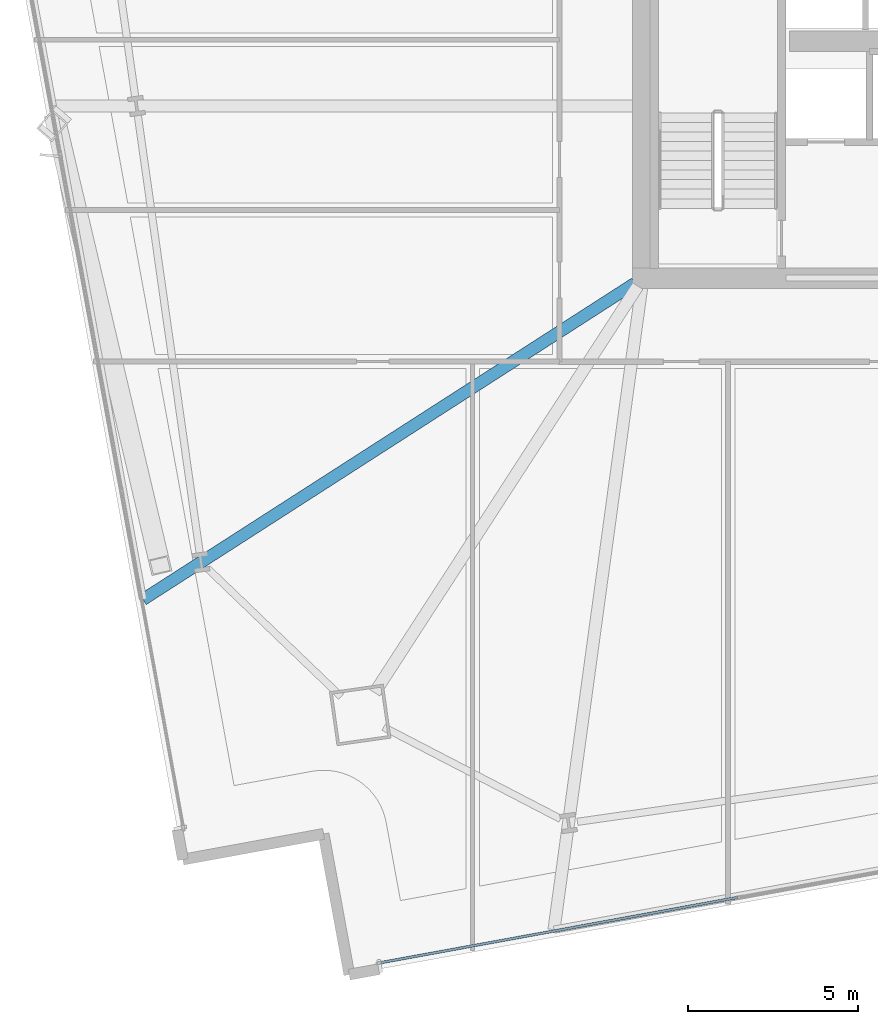
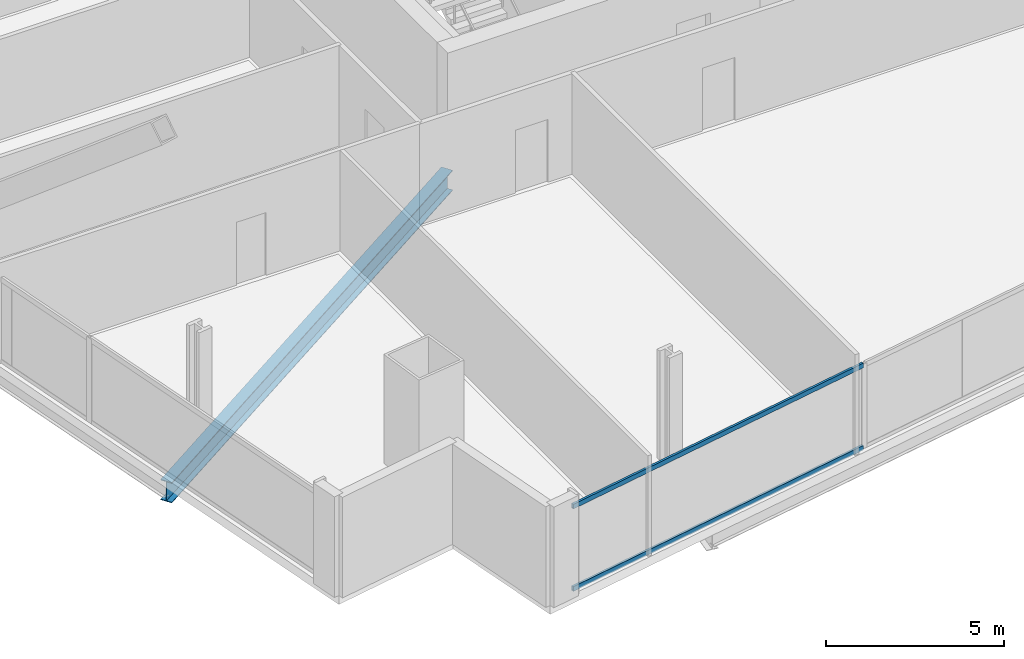
# One storey, part 4 of 34: 2 members, 1 beam, 1 element without a shape of its own.
"""IFC4 building model written with IfcOpenShell, lengths in metres."""

from ifc_helpers import new_model, si_unit, direction, frame, origin, origin_2d, place, context, subcontext, project, spatial, hollow_rectangle, i_section, extrude, material, material_profile, profile_set, type_object, element, aggregate, save


model = new_model("IFC4")

# Units and contexts
model_context = context("Model", 3, precision=1e-05, world=origin(), true_north=direction((0.0, 1.0)))
body_context = subcontext(model_context, "Body", "Model", "MODEL_VIEW")
ifc_project = project(units=[si_unit("LENGTHUNIT", "METRE"), si_unit("AREAUNIT", "SQUARE_METRE"), si_unit("VOLUMEUNIT", "CUBIC_METRE"), si_unit("PLANEANGLEUNIT", "RADIAN"), si_unit("MASSUNIT", "GRAM", prefix="KILO")], contexts=[model_context])

# Site, building, storey
site_placement = place(None, origin())
site = spatial("IfcSite", under=ifc_project, at=site_placement, CompositionType="ELEMENT")
building_placement = place(site_placement, origin())
building = spatial("IfcBuilding", under=site, at=building_placement, Name="Haldenkirk Collegiate Tower", CompositionType="ELEMENT")
storey_placement = place(building_placement, frame((0.0, 0.0, 62.699951171875)))
storey = spatial("IfcBuildingStorey", under=building, at=storey_placement, Name="L14", CompositionType="ELEMENT", Elevation=62.699951171875)

# Beam
ifc_material_1 = material(Name="Steel ASTM A992 Grade 50", Category="steel")
ifc_material_profile_1 = material_profile(ifc_material_1, i_section(OverallWidth=0.35498046875, OverallDepth=0.696044921875, WebThickness=0.015380859375, FlangeThickness=0.02490234375, at=origin_2d()), Name="W27X146")
ifc_profile_set_1 = profile_set([ifc_material_profile_1], Name="Steel ASTM A992 Grade 50")
beam_type = type_object("IfcBeamType", Name="BM-GIRDER-W27X146", PredefinedType="BEAM", material=ifc_profile_set_1)
beam_placement = place(storey_placement, frame((12.317626953125, 8.5615234375, -0.657958984375), z_axis=(0.841181246596, 0.540753280503, 0.0), x_axis=(-0.540753280503, 0.841181246596, 0.0)))
element("IfcBeam", 1, at=beam_placement, inside=storey, type_object=beam_type, Name="L14 primary floor girder 16", PredefinedType="BEAM", context=body_context, shape_type="SweptSolid", body=[
    extrude(i_section(OverallWidth=0.35498046875, OverallDepth=0.696044921875, WebThickness=0.015380859375, FlangeThickness=0.02490234375, at=origin_2d()), origin(), (0.0, 0.0, 1.0), 17.17431640625),
])

# Curtain wall, members
ifc_material_2 = material(Name="Anodised architectural bronze aluminium", Category="aluminium")
curtain_wall_type = type_object("IfcCurtainWallType", Name="CW-SYS2-CONCAVE", PredefinedType="USERDEFINED", material=ifc_material_2)
curtain_wall_placement = place(storey_placement, origin())
curtain_wall = element("IfcCurtainWall", 2, at=curtain_wall_placement, inside=storey, type_object=curtain_wall_type, Name="L14 South concave recessed bronze-anodised curtain wall", ObjectType="UNITISED CURTAIN WALL", PredefinedType="USERDEFINED")
ifc_material_profile_2 = material_profile(ifc_material_2, hollow_rectangle(XDim=0.074951171875, YDim=0.159912109375, WallThickness=0.0048828125, at=origin_2d()), Name="CW-TRN-02")
ifc_profile_set_2 = profile_set([ifc_material_profile_2], Name="Anodised architectural bronze aluminium")
member_type = type_object("IfcMemberType", Name="CW-TRN-02", PredefinedType="USERDEFINED", material=ifc_profile_set_2)
member_1_placement = place(storey_placement, frame((29.791259765625, -0.1865234375, 0.03759765625), z_axis=(-0.983730397468, -0.179651064836, 0.0), x_axis=(0.179651064836, -0.983730397468, 0.0)))
member_1 = element("IfcMember", 3, at=member_1_placement, type_object=member_type, Name="CW-02 transom 4.1", ObjectType="TRANSOM", PredefinedType="USERDEFINED", context=body_context, shape_type="SweptSolid", body=[
    extrude(hollow_rectangle(XDim=0.074951171875, YDim=0.159912109375, WallThickness=0.0048828125, at=origin_2d()), origin(), (0.0, 0.0, 1.0), 10.66259765625),
])
member_2_placement = place(storey_placement, frame((29.791259765625, -0.1865234375, 2.853515625), z_axis=(-0.983730397468, -0.179651064836, 0.0), x_axis=(0.179651064836, -0.983730397468, 0.0)))
member_2 = element("IfcMember", 4, at=member_2_placement, type_object=member_type, Name="CW-02 transom 4.2", ObjectType="TRANSOM", PredefinedType="USERDEFINED", context=body_context, shape_type="SweptSolid", body=[
    extrude(hollow_rectangle(XDim=0.074951171875, YDim=0.159912109375, WallThickness=0.0048828125, at=origin_2d()), origin(), (0.0, 0.0, 1.0), 10.66259765625),
])
aggregate(curtain_wall, [member_1, member_2])

save(model, "model.ifc")
